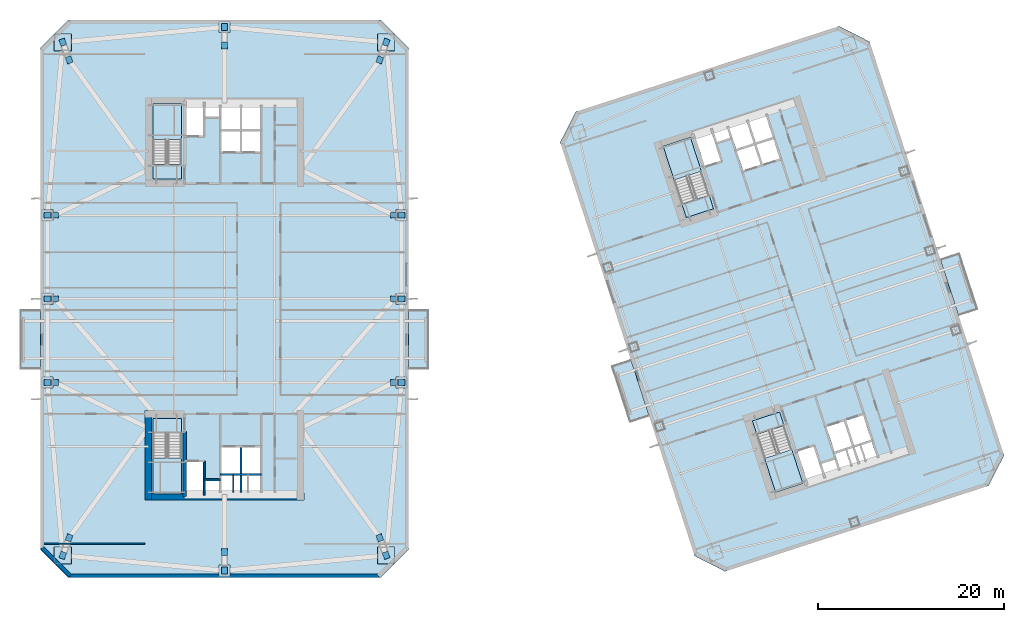
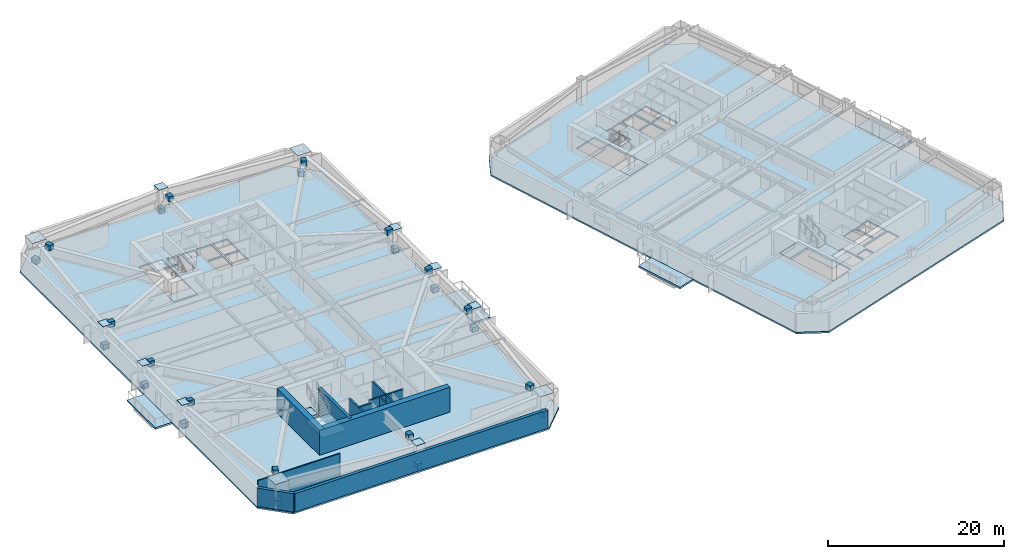
# One storey, part 5 of 19: 36 plates, 14 slabs, 11 walls, 4 elements without a shape of their own.
"""IFC4 building model written with IfcOpenShell, lengths in metres."""

from ifc_helpers import new_model, si_unit, direction, frame, frame_2d, origin, origin_2d, place, context, subcontext, project, spatial, polyline, rectangle, outline, extrude, material, layer, layer_set, type_object, element, aggregate, save


model = new_model("IFC4")

# Units and contexts
model_context = context("Model", 3, precision=1e-05, world=origin(), true_north=direction((0.0, 1.0)))
body_context = subcontext(model_context, "Body", "Model", "MODEL_VIEW")
ifc_project = project(units=[si_unit("LENGTHUNIT", "METRE"), si_unit("AREAUNIT", "SQUARE_METRE"), si_unit("VOLUMEUNIT", "CUBIC_METRE"), si_unit("PLANEANGLEUNIT", "RADIAN"), si_unit("MASSUNIT", "GRAM", prefix="KILO")], contexts=[model_context])

# Site, building, storey
site_placement = place(None, origin())
site = spatial("IfcSite", under=ifc_project, at=site_placement, CompositionType="ELEMENT")
building_placement = place(site_placement, origin())
building = spatial("IfcBuilding", under=site, at=building_placement, Name="Qiaolan Cultural Towers", CompositionType="ELEMENT")
storey_placement = place(building_placement, frame((0.0, 0.0, 88.550048828125)))
storey = spatial("IfcBuildingStorey", under=building, at=storey_placement, Name="L22", CompositionType="ELEMENT", Elevation=88.550048828125)

# Plates
ifc_material_1 = material(Name="Steel Q355B", Category="steel")
ifc_layer_1 = layer(ifc_material_1, 0.035888671875)
ifc_layer_set_1 = layer_set([ifc_layer_1], Name="Steel Q355B")
plate_type_1 = type_object("IfcPlateType", Name="PL-CONN-36", PredefinedType="USERDEFINED", material=ifc_layer_set_1)
for number, where, z_axis, x_axis, name in (
    (1, (12.60009765625, 6.39990234375, -0.06982421875), (0.0, 0.0, 1.0), (0.342939978221, 0.939357318243, 0.0), "L22 Brace End Connection Gusset Plate GP-02-0076"),
    (2, (13.2900390625, 8.2900390625, 2.7998046875), (0.0, 0.0, 1.0), (0.342939978221, 0.939357318243, 0.0), "L22 Brace End Connection Gusset Plate GP-02-0077"),
    (3, (47.39990234375, 6.39990234375, -0.06982421875), (0.0, 0.0, 1.0), (-0.342939978221, 0.939357318243, 0.0), "L22 Brace End Connection Gusset Plate GP-02-0078"),
    (4, (46.7099609375, 8.2900390625, 2.7998046875), (0.0, 0.0, 1.0), (-0.342939978221, 0.939357318243, 0.0), "L22 Brace End Connection Gusset Plate GP-02-0079"),
    (5, (47.39990234375, 61.60009765625, -0.06982421875), (0.0, 0.0, 1.0), (0.342939978221, 0.939357318243, 0.0), "L22 Brace End Connection Gusset Plate GP-02-0080"),
    (6, (46.7099609375, 59.7099609375, 2.7998046875), (0.0, 0.0, 1.0), (0.342939978221, 0.939357318243, 0.0), "L22 Brace End Connection Gusset Plate GP-02-0081"),
    (7, (12.60009765625, 61.60009765625, -0.06982421875), (0.0, 0.0, 1.0), (-0.342939978221, 0.939357318243, 0.0), "L22 Brace End Connection Gusset Plate GP-02-0082"),
    (8, (13.2900390625, 59.7099609375, 2.7998046875), (0.0, 0.0, 1.0), (-0.342939978221, 0.939357318243, 0.0), "L22 Brace End Connection Gusset Plate GP-02-0083"),
    (9, (10.949951171875, 25.0, -0.06982421875), (0.0, 0.0, 1.0), (1.0, 0.0, 0.0), "L22 Brace End Connection Gusset Plate GP-02-0084"),
    (10, (11.75, 25.0, 2.7998046875), (0.0, 0.0, 1.0), (1.0, 0.0, 0.0), "L22 Brace End Connection Gusset Plate GP-02-0085"),
    (11, (10.949951171875, 34.0, -0.06982421875), (0.0, 0.0, 1.0), (1.0, 0.0, 0.0), "L22 Brace End Connection Gusset Plate GP-02-0086"),
    (12, (11.75, 34.0, 2.7998046875), (0.0, 0.0, 1.0), (1.0, 0.0, 0.0), "L22 Brace End Connection Gusset Plate GP-02-0087"),
    (13, (10.949951171875, 43.0, -0.06982421875), (0.0, 0.0, 1.0), (1.0, 0.0, 0.0), "L22 Brace End Connection Gusset Plate GP-02-0088"),
    (14, (11.75, 43.0, 2.7998046875), (0.0, 0.0, 1.0), (1.0, 0.0, 0.0), "L22 Brace End Connection Gusset Plate GP-02-0089"),
    (15, (49.050048828125, 25.0, -0.06982421875), (0.0, 0.0, 1.0), (1.0, 0.0, 0.0), "L22 Brace End Connection Gusset Plate GP-02-0090"),
    (16, (48.25, 25.0, 2.7998046875), (0.0, 0.0, 1.0), (1.0, 0.0, 0.0), "L22 Brace End Connection Gusset Plate GP-02-0091"),
    (17, (49.050048828125, 34.0, -0.06982421875), (0.0, 0.0, 1.0), (1.0, 0.0, 0.0), "L22 Brace End Connection Gusset Plate GP-02-0092"),
    (18, (48.25, 34.0, 2.7998046875), (0.0, 0.0, 1.0), (1.0, 0.0, 0.0), "L22 Brace End Connection Gusset Plate GP-02-0093"),
    (19, (49.050048828125, 43.0, -0.06982421875), (0.0, 0.0, 1.0), (1.0, 0.0, 0.0), "L22 Brace End Connection Gusset Plate GP-02-0094"),
    (20, (48.25, 43.0, 2.7998046875), (0.0, 0.0, 1.0), (1.0, 0.0, 0.0), "L22 Brace End Connection Gusset Plate GP-02-0095"),
    (21, (30.0, 4.75, -0.06982421875), (0.0, 0.0, 1.0), (0.0, 1.0, 0.0), "L22 Brace End Connection Gusset Plate GP-02-0096"),
    (22, (30.0, 6.75, 2.7998046875), (0.0, 0.0, 1.0), (0.0, 1.0, 0.0), "L22 Brace End Connection Gusset Plate GP-02-0097"),
    (23, (30.0, 63.25, -0.06982421875), (0.0, 0.0, 1.0), (0.0, 1.0, 0.0), "L22 Brace End Connection Gusset Plate GP-02-0098"),
    (24, (30.0, 61.25, 2.7998046875), (0.0, 0.0, 1.0), (0.0, 1.0, 0.0), "L22 Brace End Connection Gusset Plate GP-02-0099"),
):
    element("IfcPlate", number, at=place(storey_placement, frame(where, z_axis=z_axis, x_axis=x_axis)), inside=storey, type_object=plate_type_1, Name=name, ObjectType="GUSSET_PLATE", PredefinedType="USERDEFINED", context=body_context, shape_type="SweptSolid", body=[
        extrude(rectangle(XDim=0.739990234375, YDim=0.6201171875, at=origin_2d()), origin(), (0.0, 0.0, 1.0), 0.739990234375),
    ])
ifc_material_2 = material(Name="Steel Q355B", Category="steel")
ifc_layer_2 = layer(ifc_material_2, 0.030029296875)
ifc_layer_set_2 = layer_set([ifc_layer_2], Name="Steel Q355B")
plate_type_2 = type_object("IfcPlateType", Name="PL-ENDCAP-30", PredefinedType="USERDEFINED", material=ifc_layer_set_2)
for number, where, z_axis, x_axis, name in (
    (25, (12.60009765625, 6.39990234375, 3.451171875), (0.0, 0.0, 1.0), (1.0, 0.0, 0.0), "Tower Box Column Transition Seal Cap Plate CP-01"),
    (26, (47.39990234375, 6.39990234375, 3.451171875), (0.0, 0.0, 1.0), (1.0, 0.0, 0.0), "Tower Box Column Transition Seal Cap Plate CP-01"),
    (27, (47.39990234375, 61.60009765625, 3.451171875), (0.0, 0.0, 1.0), (1.0, 0.0, 0.0), "Tower Box Column Transition Seal Cap Plate CP-01"),
    (28, (12.60009765625, 61.60009765625, 3.451171875), (0.0, 0.0, 1.0), (1.0, 0.0, 0.0), "Tower Box Column Transition Seal Cap Plate CP-01"),
):
    element("IfcPlate", number, at=place(storey_placement, frame(where, z_axis=z_axis, x_axis=x_axis)), inside=storey, type_object=plate_type_2, Name=name, ObjectType="BASE_PLATE", PredefinedType="USERDEFINED", context=body_context, shape_type="SweptSolid", body=[
        extrude(rectangle(XDim=1.840087890625, YDim=1.840087890625, at=origin_2d()), origin(), (0.0, 0.0, 1.0), 0.030029296875),
    ])
for number, where, z_axis, x_axis, name in (
    (29, (10.949951171875, 25.0, 3.451171875), (0.0, 0.0, 1.0), (1.0, 0.0, 0.0), "Tower Box Column Transition Seal Cap Plate CP-01"),
    (30, (10.949951171875, 34.0, 3.451171875), (0.0, 0.0, 1.0), (1.0, 0.0, 0.0), "Tower Box Column Transition Seal Cap Plate CP-01"),
    (31, (10.949951171875, 43.0, 3.451171875), (0.0, 0.0, 1.0), (1.0, 0.0, 0.0), "Tower Box Column Transition Seal Cap Plate CP-01"),
    (32, (49.050048828125, 25.0, 3.451171875), (0.0, 0.0, 1.0), (1.0, 0.0, 0.0), "Tower Box Column Transition Seal Cap Plate CP-01"),
    (33, (49.050048828125, 34.0, 3.451171875), (0.0, 0.0, 1.0), (1.0, 0.0, 0.0), "Tower Box Column Transition Seal Cap Plate CP-01"),
    (34, (49.050048828125, 43.0, 3.451171875), (0.0, 0.0, 1.0), (1.0, 0.0, 0.0), "Tower Box Column Transition Seal Cap Plate CP-01"),
    (35, (30.0, 4.75, 3.451171875), (0.0, 0.0, 1.0), (1.0, 0.0, 0.0), "Tower Box Column Transition Seal Cap Plate CP-01"),
    (36, (30.0, 63.25, 3.451171875), (0.0, 0.0, 1.0), (1.0, 0.0, 0.0), "Tower Box Column Transition Seal Cap Plate CP-01"),
):
    element("IfcPlate", number, at=place(storey_placement, frame(where, z_axis=z_axis, x_axis=x_axis)), inside=storey, type_object=plate_type_2, Name=name, ObjectType="BASE_PLATE", PredefinedType="USERDEFINED", context=body_context, shape_type="SweptSolid", body=[
        extrude(rectangle(XDim=1.18994140625, YDim=1.18994140625, at=origin_2d()), origin(), (0.0, 0.0, 1.0), 0.030029296875),
    ])

# Slabs
ifc_material_3 = material(Name="Concrete C45", Category="concrete")
ifc_layer_3 = layer(ifc_material_3, 0.239990234375)
ifc_layer_set_3 = layer_set([ifc_layer_3], Name="Concrete C45")
slab_type_1 = type_object("IfcSlabType", Name="SL-BAL-240", PredefinedType="FLOOR", material=ifc_layer_set_3)
slab_1_placement = place(storey_placement, frame((0.0, 0.0, -0.239990234375)))
element("IfcSlab", 37, at=slab_1_placement, inside=storey, type_object=slab_type_1, Name="L22 T1 Planted Tree Balcony W", PredefinedType="FLOOR", context=body_context, shape_type="SweptSolid", body=[
    extrude(outline(polyline([(8.0, 26.39990234375), (10.199951171875, 26.39990234375), (10.199951171875, 32.800048828125), (8.0, 32.800048828125), (8.0, 26.39990234375)])), origin(), (0.0, 0.0, 1.0), 0.239990234375),
])
slab_2_placement = place(storey_placement, frame((0.0, 0.0, -0.239990234375)))
element("IfcSlab", 38, at=slab_2_placement, inside=storey, type_object=slab_type_1, Name="L22 T1 Planted Tree Balcony E", PredefinedType="FLOOR", context=body_context, shape_type="SweptSolid", body=[
    extrude(outline(polyline([(49.800048828125, 26.39990234375), (52.0, 26.39990234375), (52.0, 32.800048828125), (49.800048828125, 32.800048828125), (49.800048828125, 26.39990234375)])), origin(), (0.0, 0.0, 1.0), 0.239990234375),
])
slab_3_placement = place(storey_placement, frame((0.0, 0.0, -0.239990234375)))
element("IfcSlab", 39, at=slab_3_placement, inside=storey, type_object=slab_type_1, Name="L22 T2 Planted Tree Balcony W", PredefinedType="FLOOR", context=body_context, shape_type="SweptSolid", body=[
    extrude(outline(polyline([(73.61279296875, 20.684326171875), (75.705078125, 21.3642578125), (73.727294921875, 27.450927734375), (71.635009765625, 26.77099609375), (73.61279296875, 20.684326171875)])), origin(), (0.0, 0.0, 1.0), 0.239990234375),
])
slab_4_placement = place(storey_placement, frame((0.0, 0.0, -0.239990234375)))
element("IfcSlab", 40, at=slab_4_placement, inside=storey, type_object=slab_type_1, Name="L22 T2 Planted Tree Balcony E", PredefinedType="FLOOR", context=body_context, shape_type="SweptSolid", body=[
    extrude(outline(polyline([(108.991943359375, 32.1796875), (111.084228515625, 32.859619140625), (109.106689453125, 38.9462890625), (107.014404296875, 38.2666015625), (108.991943359375, 32.1796875)])), origin(), (0.0, 0.0, 1.0), 0.239990234375),
])

# Stair, slab
ifc_material_4 = material(Name="Concrete C45", Category="concrete")
stair_type = type_object("IfcStairType", Name="STR-CORE-1500", PredefinedType="HALF_TURN_STAIR", material=ifc_material_4)
stair_1_placement = place(storey_placement, origin())
stair_1 = element("IfcStair", 41, at=stair_1_placement, inside=storey, type_object=stair_type, Name="L22 Smokeproof Exit Stair ST-W1", PredefinedType="HALF_TURN_STAIR")
ifc_material_5 = material(Name="Concrete C45", Category="concrete")
ifc_layer_4 = layer(ifc_material_5, 0.199951171875)
ifc_layer_set_4 = layer_set([ifc_layer_4], Name="Concrete C45")
slab_type_2 = type_object("IfcSlabType", Name="SL-STAIR-LAND", PredefinedType="LANDING", material=ifc_layer_set_4)
slab_5_placement = place(storey_placement, frame((0.0, 0.0, 1.52490234375)))
slab_5 = element("IfcSlab", 42, at=slab_5_placement, type_object=slab_type_2, Name="ST-W1 landing 1", PredefinedType="LANDING", context=body_context, shape_type="SweptSolid", body=[
    extrude(outline(polyline([(22.300048828125, 16.851318359375), (22.300048828125, 13.0), (25.3798828125, 13.0), (25.3798828125, 16.851318359375), (22.300048828125, 16.851318359375)])), origin(), (0.0, 0.0, 1.0), 0.199951171875),
])
aggregate(stair_1, [slab_5])

stair_2_placement = place(storey_placement, origin())
stair_2 = element("IfcStair", 43, at=stair_2_placement, inside=storey, type_object=stair_type, Name="L22 Smokeproof Exit Stair ST-W2", PredefinedType="HALF_TURN_STAIR")
slab_6_placement = place(storey_placement, frame((0.0, 0.0, 1.52490234375)))
slab_6 = element("IfcSlab", 44, at=slab_6_placement, type_object=slab_type_2, Name="ST-W2 landing 1", PredefinedType="LANDING", context=body_context, shape_type="SweptSolid", body=[
    extrude(outline(polyline([(25.3798828125, 51.148681640625), (25.3798828125, 55.0), (22.300048828125, 55.0), (22.300048828125, 51.148681640625), (25.3798828125, 51.148681640625)])), origin(), (0.0, 0.0, 1.0), 0.199951171875),
])
aggregate(stair_2, [slab_6])

stair_3_placement = place(storey_placement, origin())
stair_3 = element("IfcStair", 45, at=stair_3_placement, inside=storey, type_object=stair_type, Name="L22 Smokeproof Exit Stair ST-E1", PredefinedType="HALF_TURN_STAIR")
slab_7_placement = place(storey_placement, frame((0.0, 0.0, 1.52490234375)))
slab_7 = element("IfcSlab", 46, at=slab_7_placement, type_object=slab_type_2, Name="ST-E1 landing 1", PredefinedType="LANDING", context=body_context, shape_type="SweptSolid", body=[
    extrude(outline(polyline([(88.114013671875, 16.828125), (89.30419921875, 13.165283203125), (92.2333984375, 14.116943359375), (91.04345703125, 17.77978515625), (88.114013671875, 16.828125)])), origin(), (0.0, 0.0, 1.0), 0.199951171875),
])
aggregate(stair_3, [slab_7])

stair_4_placement = place(storey_placement, origin())
stair_4 = element("IfcStair", 47, at=stair_4_placement, inside=storey, type_object=stair_type, Name="L22 Smokeproof Exit Stair ST-E2", PredefinedType="HALF_TURN_STAIR")
slab_8_placement = place(storey_placement, frame((0.0, 0.0, 1.52490234375)))
slab_8 = element("IfcSlab", 48, at=slab_8_placement, type_object=slab_type_2, Name="ST-E2 landing 1", PredefinedType="LANDING", context=body_context, shape_type="SweptSolid", body=[
    extrude(outline(polyline([(81.31005859375, 47.735595703125), (80.1201171875, 51.3984375), (77.190673828125, 50.44677734375), (78.380859375, 46.783935546875), (81.31005859375, 47.735595703125)])), origin(), (0.0, 0.0, 1.0), 0.199951171875),
])
aggregate(stair_4, [slab_8])

# Slabs
ifc_material_6 = material(Name="Concrete C40", Category="concrete")
ifc_layer_5 = layer(ifc_material_6, 0.360107421875)
ifc_layer_set_5 = layer_set([ifc_layer_5], Name="Concrete C40")
slab_type_3 = type_object("IfcSlabType", Name="SL-STFLR-360", PredefinedType="LANDING", material=ifc_layer_set_5)
slab_9_placement = place(storey_placement, frame((0.0, 0.0, -0.360107421875)))
element("IfcSlab", 49, at=slab_9_placement, inside=storey, type_object=slab_type_3, Name="L22 ST-W1 Stair Floor Landing Slab", PredefinedType="LANDING", context=body_context, shape_type="SweptSolid", body=[
    extrude(outline(polyline([(22.302001953125, 21.097900390625), (22.302001953125, 19.548583984375), (25.3779296875, 19.548583984375), (25.3779296875, 21.097900390625), (22.302001953125, 21.097900390625)])), origin(), (0.0, 0.0, 1.0), 0.360107421875),
])
slab_10_placement = place(storey_placement, frame((0.0, 0.0, -0.360107421875)))
element("IfcSlab", 50, at=slab_10_placement, inside=storey, type_object=slab_type_3, Name="L22 ST-W2 Stair Floor Landing Slab", PredefinedType="LANDING", context=body_context, shape_type="SweptSolid", body=[
    extrude(outline(polyline([(25.3779296875, 46.902099609375), (25.3779296875, 48.451416015625), (22.302001953125, 48.451416015625), (22.302001953125, 46.902099609375), (25.3779296875, 46.902099609375)])), origin(), (0.0, 0.0, 1.0), 0.360107421875),
])
slab_11_placement = place(storey_placement, frame((0.0, 0.0, -0.360107421875)))
element("IfcSlab", 51, at=slab_11_placement, inside=storey, type_object=slab_type_3, Name="L22 ST-E1 Stair Floor Landing Slab", PredefinedType="LANDING", context=body_context, shape_type="SweptSolid", body=[
    extrude(outline(polyline([(86.8037109375, 20.867431640625), (87.282470703125, 19.39404296875), (90.2080078125, 20.3447265625), (89.729248046875, 21.818115234375), (86.8037109375, 20.867431640625)])), origin(), (0.0, 0.0, 1.0), 0.360107421875),
])
slab_12_placement = place(storey_placement, frame((0.0, 0.0, -0.360107421875)))
element("IfcSlab", 52, at=slab_12_placement, inside=storey, type_object=slab_type_3, Name="L22 ST-E2 Stair Floor Landing Slab", PredefinedType="LANDING", context=body_context, shape_type="SweptSolid", body=[
    extrude(outline(polyline([(82.62060546875, 43.6962890625), (82.141845703125, 45.169677734375), (79.21630859375, 44.21923828125), (79.695068359375, 42.74560546875), (82.62060546875, 43.6962890625)])), origin(), (0.0, 0.0, 1.0), 0.360107421875),
])
ifc_material_7 = material(Name="Concrete C45", Category="concrete")
ifc_layer_6 = layer(ifc_material_7, 0.219970703125)
ifc_layer_set_6 = layer_set([ifc_layer_6], Name="Concrete C45")
slab_type_4 = type_object("IfcSlabType", Name="SL-TYP-220", PredefinedType="FLOOR", material=ifc_layer_set_6)
slab_13_placement = place(storey_placement, frame((0.0, 0.0, -0.219970703125)))
element("IfcSlab", 53, at=slab_13_placement, inside=storey, type_object=slab_type_4, Name="L22 West Tower Floor Slab", PredefinedType="FLOOR", context=body_context, shape_type="SweptSolid", body=[
    extrude(outline(polyline([(13.199951171875, 4.0), (46.800048828125, 4.0), (49.800048828125, 7.0), (49.800048828125, 61.0), (46.800048828125, 64.0), (13.199951171875, 64.0), (10.199951171875, 61.0), (10.199951171875, 7.0), (13.199951171875, 4.0)]), holes=[polyline([(22.300048828125, 21.10009765625), (22.300048828125, 13.0), (25.3798828125, 13.0), (25.3798828125, 21.10009765625), (22.300048828125, 21.10009765625)]), polyline([(25.3798828125, 46.89990234375), (25.3798828125, 55.0), (22.300048828125, 55.0), (22.300048828125, 46.89990234375), (25.3798828125, 46.89990234375)]), polyline([(25.89990234375, 13.199951171875), (27.75, 13.199951171875), (27.75, 16.449951171875), (25.89990234375, 16.449951171875), (25.89990234375, 13.199951171875)]), polyline([(27.93994140625, 13.25), (29.449951171875, 13.25), (29.449951171875, 14.419921875), (27.93994140625, 14.419921875), (27.93994140625, 13.25)]), polyline([(29.679931640625, 15.199951171875), (31.679931640625, 15.199951171875), (31.679931640625, 18.0), (29.679931640625, 18.0), (29.679931640625, 15.199951171875)]), polyline([(31.8798828125, 15.199951171875), (33.820068359375, 15.199951171875), (33.820068359375, 18.0), (31.8798828125, 18.0), (31.8798828125, 15.199951171875)]), polyline([(29.679931640625, 13.25), (33.820068359375, 13.25), (33.820068359375, 14.97998046875), (29.679931640625, 14.97998046875), (29.679931640625, 13.25)]), polyline([(25.89990234375, 51.550048828125), (27.75, 51.550048828125), (27.75, 54.800048828125), (25.89990234375, 54.800048828125), (25.89990234375, 51.550048828125)]), polyline([(27.93994140625, 53.580078125), (29.449951171875, 53.580078125), (29.449951171875, 54.75), (27.93994140625, 54.75), (27.93994140625, 53.580078125)]), polyline([(29.679931640625, 49.820068359375), (31.679931640625, 49.820068359375), (31.679931640625, 52.080078125), (29.679931640625, 52.080078125), (29.679931640625, 49.820068359375)]), polyline([(31.8798828125, 49.820068359375), (33.820068359375, 49.820068359375), (33.820068359375, 52.080078125), (31.8798828125, 52.080078125), (31.8798828125, 49.820068359375)]), polyline([(29.679931640625, 52.27001953125), (31.659912109375, 52.27001953125), (31.659912109375, 54.75), (29.679931640625, 54.75), (29.679931640625, 52.27001953125)]), polyline([(31.8798828125, 52.27001953125), (33.820068359375, 52.27001953125), (33.820068359375, 54.75), (31.8798828125, 54.75), (31.8798828125, 52.27001953125)])]), origin(), (0.0, 0.0, 1.0), 0.219970703125),
])
slab_14_placement = place(storey_placement, frame((0.0, 0.0, -0.219970703125)))
element("IfcSlab", 54, at=slab_14_placement, inside=storey, type_object=slab_type_4, Name="L22 East Tower Floor Slab", PredefinedType="FLOOR", context=body_context, shape_type="SweptSolid", body=[
    extrude(outline(polyline([(83.86376953125, 4.668212890625), (112.205078125, 13.876953125), (113.87451171875, 17.153076171875), (99.41259765625, 61.66259765625), (96.13623046875, 63.331787109375), (67.794921875, 54.123046875), (66.12548828125, 50.846923828125), (80.58740234375, 6.33740234375), (83.86376953125, 4.668212890625)]), holes=[polyline([(86.80126953125, 20.868896484375), (89.30419921875, 13.165283203125), (92.2333984375, 14.116943359375), (89.73046875, 21.820556640625), (86.80126953125, 20.868896484375)]), polyline([(82.623046875, 43.69482421875), (80.1201171875, 51.3984375), (77.190673828125, 50.44677734375), (79.69384765625, 42.7431640625), (82.623046875, 43.69482421875)]), polyline([(92.666259765625, 14.468017578125), (94.42578125, 15.03955078125), (93.42138671875, 18.130615234375), (91.661865234375, 17.558837890625), (92.666259765625, 14.468017578125)]), polyline([(94.5908203125, 15.14599609375), (96.027099609375, 15.612548828125), (95.66552734375, 16.725341796875), (94.2294921875, 16.258544921875), (94.5908203125, 15.14599609375)]), polyline([(95.643310546875, 17.5380859375), (97.54541015625, 18.15625), (96.68017578125, 20.819091796875), (94.77783203125, 20.201171875), (95.643310546875, 17.5380859375)]), polyline([(97.735595703125, 18.218017578125), (99.58056640625, 18.8173828125), (98.71533203125, 21.48046875), (96.870361328125, 20.880859375), (97.735595703125, 18.218017578125)]), polyline([(96.245849609375, 15.68359375), (100.18310546875, 16.962890625), (99.6484375, 18.608154296875), (95.711181640625, 17.328857421875), (96.245849609375, 15.68359375)]), polyline([(81.6806640625, 48.278076171875), (83.440185546875, 48.849609375), (82.435791015625, 51.940673828125), (80.67626953125, 51.368896484375), (81.6806640625, 48.278076171875)]), polyline([(82.993408203125, 50.839111328125), (84.4296875, 51.3056640625), (84.068115234375, 52.41845703125), (82.632080078125, 51.95166015625), (82.993408203125, 50.839111328125)]), polyline([(85.810302734375, 47.80078125), (87.71240234375, 48.418701171875), (87.013916015625, 50.568115234375), (85.11181640625, 49.9501953125), (85.810302734375, 47.80078125)]), polyline([(87.902587890625, 48.480712890625), (89.74755859375, 49.080078125), (89.04931640625, 51.2294921875), (87.2041015625, 50.6298828125), (87.902587890625, 48.480712890625)]), polyline([(85.05322265625, 50.130859375), (86.936279296875, 50.74267578125), (86.169921875, 53.101318359375), (84.286865234375, 52.489501953125), (85.05322265625, 50.130859375)]), polyline([(87.1455078125, 50.810791015625), (88.990478515625, 51.41015625), (88.22412109375, 53.768798828125), (86.379150390625, 53.169189453125), (87.1455078125, 50.810791015625)])]), origin(), (0.0, 0.0, 1.0), 0.219970703125),
])

# Walls
ifc_material_8 = material(Name="Concrete C50", Category="concrete")
ifc_layer_7 = layer(ifc_material_8, 0.35009765625)
ifc_layer_set_7 = layer_set([ifc_layer_7], Name="Concrete C50")
wall_type_1 = type_object("IfcWallType", Name="WL-CORE-350", PredefinedType="SHEAR", material=ifc_layer_set_7)
wall_1_placement = place(storey_placement, frame((25.719970703125, 19.699951171875, 0.0), z_axis=(0.0, 0.0, 1.0), x_axis=(0.0, -1.0, 0.0)))
element("IfcWall", 55, at=wall_1_placement, inside=storey, type_object=wall_type_1, Name="L22 T1-CS Stair Core Dividing Web", PredefinedType="SHEAR", context=body_context, shape_type="SweptSolid", body=[
    extrude(rectangle(XDim=6.97998046875, YDim=0.35009765625, at=frame_2d((3.489990234375, 0.0))), origin(), (0.0, 0.0, 1.0), 3.449951171875),
])
ifc_material_9 = material(Name="Concrete C60", Category="concrete")
ifc_layer_8 = layer(ifc_material_9, 0.75)
ifc_layer_set_8 = layer_set([ifc_layer_8], Name="Concrete C60")
wall_type_2 = type_object("IfcWallType", Name="WL-CORE-750", PredefinedType="SHEAR", material=ifc_layer_set_8)
wall_2_placement = place(storey_placement, frame((21.425048828125, 12.719970703125, 0.0), z_axis=(0.0, 0.0, 1.0), x_axis=(1.0, 0.0, 0.0)))
element("IfcWall", 56, at=wall_2_placement, inside=storey, type_object=wall_type_2, Name="L22 T1-CS Outer Core Shear Wall", PredefinedType="SHEAR", context=body_context, shape_type="SweptSolid", body=[
    extrude(rectangle(XDim=17.14990234375, YDim=0.75, at=frame_2d((8.574951171875, 0.0))), origin(), (0.0, 0.0, 1.0), 3.449951171875),
])
wall_3_placement = place(storey_placement, frame((21.800048828125, 21.97509765625, 0.0), z_axis=(0.0, 0.0, 1.0), x_axis=(0.0, -1.0, 0.0)))
element("IfcWall", 57, at=wall_3_placement, inside=storey, type_object=wall_type_2, Name="L22 T1-CS West Core Shear Wall", PredefinedType="SHEAR", context=body_context, shape_type="SweptSolid", body=[
    extrude(rectangle(XDim=9.630126953125, YDim=0.75, at=frame_2d((4.81494140625, 0.0))), origin(), (0.0, 0.0, 1.0), 3.449951171875),
])
ifc_material_10 = material(Name="Precast Concrete C50 Honed Stone Pier", Category="masonry")
ifc_layer_9 = layer(ifc_material_10, 0.39990234375)
ifc_layer_set_9 = layer_set([ifc_layer_9], Name="Precast Concrete C50 Honed Stone Pier")
wall_type_3 = type_object("IfcWallType", Name="WL-EXT-PIER-400", PredefinedType="SOLIDWALL", material=ifc_layer_set_9)
wall_4_placement = place(storey_placement, frame((46.60009765625, 4.199951171875, 0.0), z_axis=(0.0, 0.0, 1.0), x_axis=(-1.0, 0.0, 0.0)))
element("IfcWall", 58, at=wall_4_placement, inside=storey, type_object=wall_type_3, Name="L22 West Tower Precast Pier Facade Wall F7", PredefinedType="SOLIDWALL", context=body_context, shape_type="SweptSolid", body=[
    extrude(rectangle(XDim=33.2001953125, YDim=0.39990234375, at=frame_2d((16.60009765625, 0.0))), origin(), (0.0, 0.0, 1.0), 2.550048828125),
])
wall_5_placement = place(storey_placement, frame((13.39990234375, 4.199951171875, 0.0), z_axis=(0.0, 0.0, 1.0), x_axis=(-0.707106781187, 0.707106781187, 0.0)))
element("IfcWall", 59, at=wall_5_placement, inside=storey, type_object=wall_type_3, Name="L22 West Tower Precast Pier Facade Wall F8", PredefinedType="SOLIDWALL", context=body_context, shape_type="SweptSolid", body=[
    extrude(rectangle(XDim=4.24267578125, YDim=0.39990234375, at=frame_2d((2.121337890625, 0.0))), origin(), (0.0, 0.0, 1.0), 2.550048828125),
])
ifc_material_11 = material(Name="Concrete C35 Fire Wall", Category="concrete")
ifc_layer_10 = layer(ifc_material_11, 0.199951171875)
ifc_layer_set_10 = layer_set([ifc_layer_10], Name="Concrete C35 Fire Wall")
wall_type_4 = type_object("IfcWallType", Name="WL-FIRE-200", PredefinedType="PARTITIONING", material=ifc_layer_set_10)
wall_6_placement = place(storey_placement, frame((27.820068359375, 16.550048828125, 0.0), z_axis=(0.0, 0.0, 1.0), x_axis=(0.0, -1.0, 0.0)))
element("IfcWall", 60, at=wall_6_placement, inside=storey, type_object=wall_type_4, Name="L22 T1-CS Firefighting Hoistway East Wall", PredefinedType="PARTITIONING", context=body_context, shape_type="SweptSolid", body=[
    extrude(rectangle(XDim=3.699951171875, YDim=0.199951171875, at=frame_2d((1.85009765625, 0.0))), origin(), (0.0, 0.0, 1.0), 3.155029296875),
])
wall_7_placement = place(storey_placement, frame((27.820068359375, 14.52001953125, 0.0), z_axis=(0.0, 0.0, 1.0), x_axis=(1.0, 0.0, 0.0)))
element("IfcWall", 61, at=wall_7_placement, inside=storey, type_object=wall_type_4, Name="L22 T1-CS Pressurization Shaft Front Wall", PredefinedType="PARTITIONING", context=body_context, shape_type="SweptSolid", body=[
    extrude(rectangle(XDim=1.72998046875, YDim=0.199951171875, at=frame_2d((0.864990234375, 0.0))), origin(), (0.0, 0.0, 1.0), 3.155029296875),
])
wall_8_placement = place(storey_placement, frame((31.780029296875, 18.1201171875, 0.0), z_axis=(0.0, 0.0, 1.0), x_axis=(0.0, -1.0, 0.0)))
element("IfcWall", 62, at=wall_8_placement, inside=storey, type_object=wall_type_4, Name="L22 T1-CS Lift Shaft Divider Wall", PredefinedType="PARTITIONING", context=body_context, shape_type="SweptSolid", body=[
    extrude(rectangle(XDim=4.9501953125, YDim=0.199951171875, at=frame_2d((2.47509765625, 0.0))), origin(), (0.0, 0.0, 1.0), 3.155029296875),
])
wall_9_placement = place(storey_placement, frame((29.550048828125, 15.10009765625, 0.0), z_axis=(0.0, 0.0, 1.0), x_axis=(1.0, 0.0, 0.0)))
element("IfcWall", 63, at=wall_9_placement, inside=storey, type_object=wall_type_4, Name="L22 T1-CS Passenger Lift Shaft Back Wall", PredefinedType="PARTITIONING", context=body_context, shape_type="SweptSolid", body=[
    extrude(rectangle(XDim=4.39990234375, YDim=0.199951171875, at=frame_2d((2.199951171875, 0.0))), origin(), (0.0, 0.0, 1.0), 3.155029296875),
])
ifc_material_12 = material(Name="Autoclaved Aerated Concrete Block B06", Category="concrete")
ifc_layer_11 = layer(ifc_material_12, 0.14990234375)
ifc_layer_set_11 = layer_set([ifc_layer_11], Name="Autoclaved Aerated Concrete Block B06")
wall_type_5 = type_object("IfcWallType", Name="WL-PART-150", PredefinedType="PARTITIONING", material=ifc_layer_set_11)
wall_10_placement = place(storey_placement, frame((30.949951171875, 15.050048828125, 0.0), z_axis=(0.0, 0.0, 1.0), x_axis=(0.0, -1.0, 0.0)))
element("IfcWall", 64, at=wall_10_placement, inside=storey, type_object=wall_type_5, Name="L22 T1-CS Core Rear Split 1", PredefinedType="PARTITIONING", context=body_context, shape_type="SweptSolid", body=[
    extrude(rectangle(XDim=1.880126953125, YDim=0.14990234375, at=frame_2d((0.93994140625, 0.0))), origin(), (0.0, 0.0, 1.0), 3.155029296875),
])
wall_11_placement = place(storey_placement, frame((10.60009765625, 7.64990234375, 0.0), z_axis=(0.0, 0.0, 1.0), x_axis=(1.0, 0.0, 0.0)))
element("IfcWall", 65, at=wall_11_placement, inside=storey, type_object=wall_type_5, Name="L22 T1 Flank Wall FLK-SW", PredefinedType="PARTITIONING", context=body_context, shape_type="SweptSolid", body=[
    extrude(rectangle(XDim=10.7998046875, YDim=0.14990234375, at=frame_2d((5.39990234375, 0.0))), origin(), (0.0, 0.0, 1.0), 3.155029296875),
])

save(model, "model.ifc")
